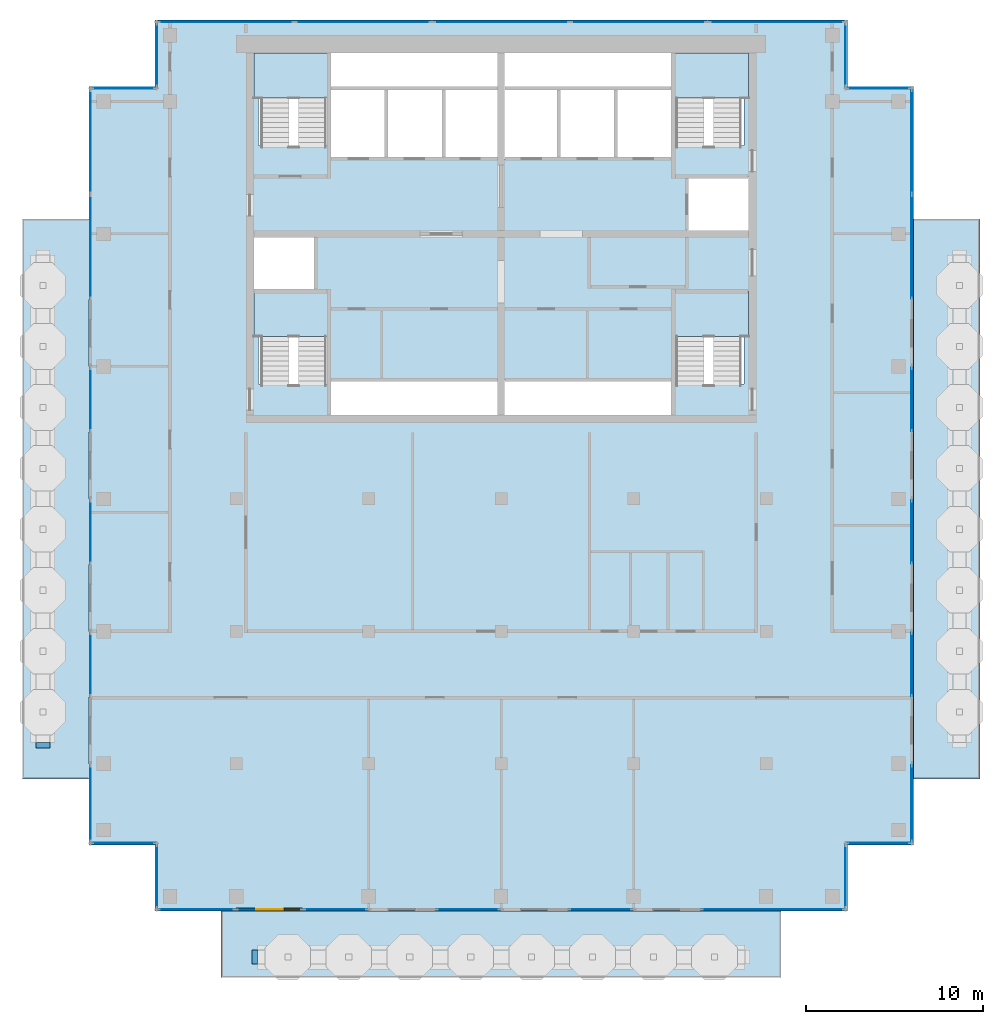
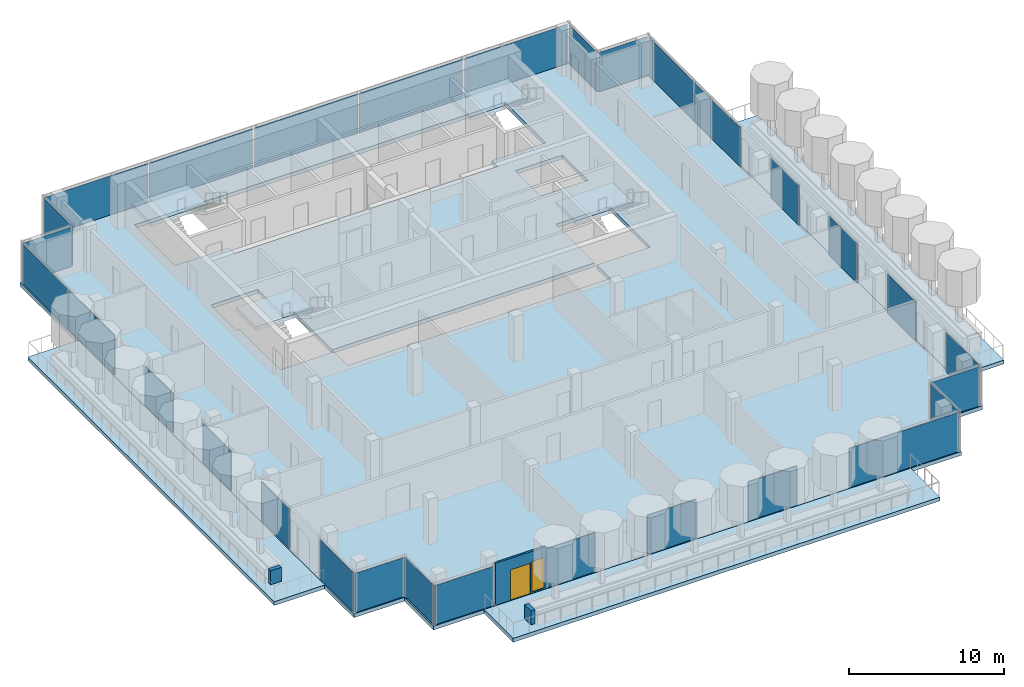
# One storey, part 5 of 12: 30 plates, 8 slabs, 3 walls, 1 door, 1 window, 2 openings, 30 elements without a shape of their own.
"""IFC4 building model written with IfcOpenShell, lengths in metres."""

from ifc_helpers import new_model, si_unit, direction, frame, frame_2d, origin, origin_2d, place, context, subcontext, project, spatial, polyline, rectangle, outline, extrude, material, layer, layer_set, type_object, element, fill, aggregate, save


model = new_model("IFC4")

# Units and contexts
model_context = context("Model", 3, precision=1e-05, world=origin(), true_north=direction((0.0, 1.0)))
body_context = subcontext(model_context, "Body", "Model", "MODEL_VIEW")
ifc_project = project(units=[si_unit("LENGTHUNIT", "METRE"), si_unit("AREAUNIT", "SQUARE_METRE"), si_unit("VOLUMEUNIT", "CUBIC_METRE"), si_unit("PLANEANGLEUNIT", "RADIAN"), si_unit("MASSUNIT", "GRAM", prefix="KILO")], contexts=[model_context])

# Site, building, storey
site_placement = place(None, origin())
site = spatial("IfcSite", under=ifc_project, at=site_placement, CompositionType="ELEMENT")
building_placement = place(site_placement, origin())
building = spatial("IfcBuilding", under=site, at=building_placement, Name="Pilkhan Gate Tower", CompositionType="ELEMENT")
storey_placement = place(building_placement, frame((0.0, 0.0, 258.5)))
storey = spatial("IfcBuildingStorey", under=building, at=storey_placement, Name="L67", CompositionType="ELEMENT", Elevation=258.5)

# Slab
ifc_material_1 = material(Name="Concrete C40/50", Category="concrete")
ifc_layer_1 = layer(ifc_material_1, 0.300048828125)
ifc_layer_set_1 = layer_set([ifc_layer_1], Name="Flat plate slab FP300")
slab_type_1 = type_object("IfcSlabType", Name="Flat plate slab FP300", PredefinedType="FLOOR", material=ifc_layer_set_1)
slab_1_placement = place(storey_placement, frame((0.0, 0.0, -0.300048828125)))
element("IfcSlab", 1, at=slab_1_placement, inside=storey, type_object=slab_type_1, Name="Floor slab L67", PredefinedType="FLOOR", context=body_context, shape_type="SweptSolid", body=[
    extrude(outline(polyline([(94.60009765625, 44.14990234375), (55.39990234375, 44.14990234375), (55.39990234375, 47.89990234375), (51.64990234375, 47.89990234375), (51.64990234375, 90.85009765625), (55.39990234375, 90.85009765625), (55.39990234375, 94.60009765625), (94.60009765625, 94.60009765625), (94.60009765625, 90.85009765625), (98.35009765625, 90.85009765625), (98.35009765625, 47.89990234375), (94.60009765625, 47.89990234375), (94.60009765625, 44.14990234375)]), holes=[polyline([(68.5, 86.75), (71.75, 86.75), (75.0, 86.75), (78.25, 86.75), (81.5, 86.75), (84.75, 86.75), (84.75, 87.5), (88.75, 87.5), (88.75, 92.75), (84.75, 92.75), (75.0, 92.75), (65.25, 92.75), (61.25, 92.75), (61.25, 87.5), (65.25, 87.5), (65.25, 86.75), (68.5, 86.75)]), polyline([(84.75, 74.25), (75.0, 74.25), (65.25, 74.25), (65.25, 79.25), (64.5, 79.25), (64.5, 82.5), (61.25, 82.5), (61.0, 82.5), (61.0, 79.25), (61.25, 79.25), (61.25, 74.0), (65.25, 74.0), (65.25, 72.25), (75.0, 72.25), (84.75, 72.25), (84.75, 74.0), (88.75, 74.0), (88.75, 79.25), (84.75, 79.25), (84.75, 74.25)]), polyline([(85.5, 85.75), (85.5, 82.5), (88.75, 82.5), (89.0, 82.5), (89.0, 85.75), (88.75, 85.75), (85.5, 85.75)])]), origin(), (0.0, 0.0, 1.0), 0.300048828125),
])

# Curtain wall, plate
ifc_material_2 = material(Name="Pale anodised aluminium, clear low-iron double glazing", Category="aluminium")
curtain_wall_type = type_object("IfcCurtainWallType", Name="Crown unitised curtain wall CW-C", PredefinedType="USERDEFINED", material=ifc_material_2)
curtain_wall_1_placement = place(storey_placement, origin())
curtain_wall_1 = element("IfcCurtainWall", 2, at=curtain_wall_1_placement, inside=storey, type_object=curtain_wall_type, Name="Crown unitised curtain wall CW-C L67 E", ObjectType="UNITISED CURTAIN WALL", PredefinedType="USERDEFINED")
ifc_material_3 = material(Name="Clear low-iron double glazing", Category="glass")
ifc_layer_2 = layer(ifc_material_3, 0.0439453125)
ifc_layer_set_2 = layer_set([ifc_layer_2], Name="Glass panel CW-C 44")
plate_type = type_object("IfcPlateType", Name="Glass panel CW-C 44", PredefinedType="CURTAIN_PANEL", material=ifc_layer_set_2)
plate_1_placement = place(storey_placement, frame((98.25, 50.25, 0.0), z_axis=(0.0, 0.0, 1.0), x_axis=(0.0, 1.0, 0.0)))
plate_1 = element("IfcPlate", 3, at=plate_1_placement, type_object=plate_type, Name="CW-C panel 1", PredefinedType="CURTAIN_PANEL", context=body_context, shape_type="SweptSolid", body=[
    extrude(rectangle(XDim=4.35009765625, YDim=0.0439453125, at=origin_2d()), origin(), (0.0, 0.0, 1.0), 3.080078125),
])
aggregate(curtain_wall_1, [plate_1])

curtain_wall_2_placement = place(storey_placement, origin())
curtain_wall_2 = element("IfcCurtainWall", 4, at=curtain_wall_2_placement, inside=storey, type_object=curtain_wall_type, Name="Crown unitised curtain wall CW-C L67 E", ObjectType="UNITISED CURTAIN WALL", PredefinedType="USERDEFINED")
plate_2_placement = place(storey_placement, frame((98.25, 58.125, 0.0), z_axis=(0.0, 0.0, 1.0), x_axis=(0.0, 1.0, 0.0)))
plate_2 = element("IfcPlate", 5, at=plate_2_placement, type_object=plate_type, Name="CW-C panel 1", PredefinedType="CURTAIN_PANEL", context=body_context, shape_type="SweptSolid", body=[
    extrude(rectangle(XDim=3.60009765625, YDim=0.0439453125, at=origin_2d()), origin(), (0.0, 0.0, 1.0), 3.080078125),
])
aggregate(curtain_wall_2, [plate_2])

curtain_wall_3_placement = place(storey_placement, origin())
curtain_wall_3 = element("IfcCurtainWall", 6, at=curtain_wall_3_placement, inside=storey, type_object=curtain_wall_type, Name="Crown unitised curtain wall CW-C L67 E", ObjectType="UNITISED CURTAIN WALL", PredefinedType="USERDEFINED")
plate_3_placement = place(storey_placement, frame((98.25, 65.625, 0.0), z_axis=(0.0, 0.0, 1.0), x_axis=(0.0, 1.0, 0.0)))
plate_3 = element("IfcPlate", 7, at=plate_3_placement, type_object=plate_type, Name="CW-C panel 1", PredefinedType="CURTAIN_PANEL", context=body_context, shape_type="SweptSolid", body=[
    extrude(rectangle(XDim=3.60009765625, YDim=0.0439453125, at=origin_2d()), origin(), (0.0, 0.0, 1.0), 3.080078125),
])
aggregate(curtain_wall_3, [plate_3])

curtain_wall_4_placement = place(storey_placement, origin())
curtain_wall_4 = element("IfcCurtainWall", 8, at=curtain_wall_4_placement, inside=storey, type_object=curtain_wall_type, Name="Crown unitised curtain wall CW-C L67 E", ObjectType="UNITISED CURTAIN WALL", PredefinedType="USERDEFINED")
plate_4_placement = place(storey_placement, frame((98.25, 73.125, 0.0), z_axis=(0.0, 0.0, 1.0), x_axis=(0.0, 1.0, 0.0)))
plate_4 = element("IfcPlate", 9, at=plate_4_placement, type_object=plate_type, Name="CW-C panel 1", PredefinedType="CURTAIN_PANEL", context=body_context, shape_type="SweptSolid", body=[
    extrude(rectangle(XDim=3.60009765625, YDim=0.0439453125, at=origin_2d()), origin(), (0.0, 0.0, 1.0), 3.080078125),
])
aggregate(curtain_wall_4, [plate_4])

# Curtain wall, plates
curtain_wall_5_placement = place(storey_placement, origin())
curtain_wall_5 = element("IfcCurtainWall", 10, at=curtain_wall_5_placement, inside=storey, type_object=curtain_wall_type, Name="Crown unitised curtain wall CW-C L67 E", ObjectType="UNITISED CURTAIN WALL", PredefinedType="USERDEFINED")
plate_5_placement = place(storey_placement, frame((98.25, 81.768798828125, 0.0), z_axis=(0.0, 0.0, 1.0), x_axis=(0.0, 1.0, 0.0)))
plate_5 = element("IfcPlate", 11, at=plate_5_placement, type_object=plate_type, Name="CW-C panel 1", PredefinedType="CURTAIN_PANEL", context=body_context, shape_type="SweptSolid", body=[
    extrude(rectangle(XDim=5.887451171875, YDim=0.0439453125, at=origin_2d()), origin(), (0.0, 0.0, 1.0), 3.080078125),
])
plate_6_placement = place(storey_placement, frame((98.25, 87.731201171875, 0.0), z_axis=(0.0, 0.0, 1.0), x_axis=(0.0, 1.0, 0.0)))
plate_6 = element("IfcPlate", 12, at=plate_6_placement, type_object=plate_type, Name="CW-C panel 2", PredefinedType="CURTAIN_PANEL", context=body_context, shape_type="SweptSolid", body=[
    extrude(rectangle(XDim=5.887451171875, YDim=0.0439453125, at=origin_2d()), origin(), (0.0, 0.0, 1.0), 3.080078125),
])
aggregate(curtain_wall_5, [plate_5, plate_6])

# Curtain wall, plate
curtain_wall_6_placement = place(storey_placement, origin())
curtain_wall_6 = element("IfcCurtainWall", 13, at=curtain_wall_6_placement, inside=storey, type_object=curtain_wall_type, Name="Crown unitised curtain wall CW-C L67 N", ObjectType="UNITISED CURTAIN WALL", PredefinedType="USERDEFINED")
plate_7_placement = place(storey_placement, frame((96.375, 90.75, 0.0), z_axis=(0.0, 0.0, 1.0), x_axis=(1.0, 0.0, 0.0)))
plate_7 = element("IfcPlate", 14, at=plate_7_placement, type_object=plate_type, Name="CW-C panel 1", PredefinedType="CURTAIN_PANEL", context=body_context, shape_type="SweptSolid", body=[
    extrude(rectangle(XDim=3.60009765625, YDim=0.0439453125, at=origin_2d()), origin(), (0.0, 0.0, 1.0), 3.080078125),
])
aggregate(curtain_wall_6, [plate_7])

curtain_wall_7_placement = place(storey_placement, origin())
curtain_wall_7 = element("IfcCurtainWall", 15, at=curtain_wall_7_placement, inside=storey, type_object=curtain_wall_type, Name="Crown unitised curtain wall CW-C L67 E", ObjectType="UNITISED CURTAIN WALL", PredefinedType="USERDEFINED")
plate_8_placement = place(storey_placement, frame((94.5, 92.625, 0.0), z_axis=(0.0, 0.0, 1.0), x_axis=(0.0, 1.0, 0.0)))
plate_8 = element("IfcPlate", 16, at=plate_8_placement, type_object=plate_type, Name="CW-C panel 1", PredefinedType="CURTAIN_PANEL", context=body_context, shape_type="SweptSolid", body=[
    extrude(rectangle(XDim=3.60009765625, YDim=0.0439453125, at=origin_2d()), origin(), (0.0, 0.0, 1.0), 3.080078125),
])
aggregate(curtain_wall_7, [plate_8])

# Curtain wall, plates
curtain_wall_8_placement = place(storey_placement, origin())
curtain_wall_8 = element("IfcCurtainWall", 17, at=curtain_wall_8_placement, inside=storey, type_object=curtain_wall_type, Name="Crown unitised curtain wall CW-C L67 N", ObjectType="UNITISED CURTAIN WALL", PredefinedType="USERDEFINED")
plate_9_placement = place(storey_placement, frame((59.418701171875, 94.5, 0.0), z_axis=(0.0, 0.0, 1.0), x_axis=(1.0, 0.0, 0.0)))
plate_9 = element("IfcPlate", 18, at=plate_9_placement, type_object=plate_type, Name="CW-C panel 1", PredefinedType="CURTAIN_PANEL", context=body_context, shape_type="SweptSolid", body=[
    extrude(rectangle(XDim=7.6875, YDim=0.0439453125, at=origin_2d()), origin(), (0.0, 0.0, 1.0), 3.080078125),
])
plate_10_placement = place(storey_placement, frame((67.18115234375, 94.5, 0.0), z_axis=(0.0, 0.0, 1.0), x_axis=(1.0, 0.0, 0.0)))
plate_10 = element("IfcPlate", 19, at=plate_10_placement, type_object=plate_type, Name="CW-C panel 2", PredefinedType="CURTAIN_PANEL", context=body_context, shape_type="SweptSolid", body=[
    extrude(rectangle(XDim=7.6875, YDim=0.0439453125, at=origin_2d()), origin(), (0.0, 0.0, 1.0), 3.080078125),
])
aggregate(curtain_wall_8, [plate_9, plate_10])

curtain_wall_9_placement = place(storey_placement, origin())
curtain_wall_9 = element("IfcCurtainWall", 20, at=curtain_wall_9_placement, inside=storey, type_object=curtain_wall_type, Name="Crown unitised curtain wall CW-C L67 N", ObjectType="UNITISED CURTAIN WALL", PredefinedType="USERDEFINED")
plate_11_placement = place(storey_placement, frame((75.018798828125, 94.5, 0.0), z_axis=(0.0, 0.0, 1.0), x_axis=(1.0, 0.0, 0.0)))
plate_11 = element("IfcPlate", 21, at=plate_11_placement, type_object=plate_type, Name="CW-C panel 1", PredefinedType="CURTAIN_PANEL", context=body_context, shape_type="SweptSolid", body=[
    extrude(rectangle(XDim=7.6875, YDim=0.0439453125, at=origin_2d()), origin(), (0.0, 0.0, 1.0), 3.080078125),
])
plate_12_placement = place(storey_placement, frame((82.78125, 94.5, 0.0), z_axis=(0.0, 0.0, 1.0), x_axis=(1.0, 0.0, 0.0)))
plate_12 = element("IfcPlate", 22, at=plate_12_placement, type_object=plate_type, Name="CW-C panel 2", PredefinedType="CURTAIN_PANEL", context=body_context, shape_type="SweptSolid", body=[
    extrude(rectangle(XDim=7.6875, YDim=0.0439453125, at=origin_2d()), origin(), (0.0, 0.0, 1.0), 3.080078125),
])
aggregate(curtain_wall_9, [plate_11, plate_12])

# Curtain wall, plate
curtain_wall_10_placement = place(storey_placement, origin())
curtain_wall_10 = element("IfcCurtainWall", 23, at=curtain_wall_10_placement, inside=storey, type_object=curtain_wall_type, Name="Crown unitised curtain wall CW-C L67 N", ObjectType="UNITISED CURTAIN WALL", PredefinedType="USERDEFINED")
plate_13_placement = place(storey_placement, frame((90.60009765625, 94.5, 0.0), z_axis=(0.0, 0.0, 1.0), x_axis=(1.0, 0.0, 0.0)))
plate_13 = element("IfcPlate", 24, at=plate_13_placement, type_object=plate_type, Name="CW-C panel 1", PredefinedType="CURTAIN_PANEL", context=body_context, shape_type="SweptSolid", body=[
    extrude(rectangle(XDim=7.64990234375, YDim=0.0439453125, at=origin_2d()), origin(), (0.0, 0.0, 1.0), 3.080078125),
])
aggregate(curtain_wall_10, [plate_13])

curtain_wall_11_placement = place(storey_placement, origin())
curtain_wall_11 = element("IfcCurtainWall", 25, at=curtain_wall_11_placement, inside=storey, type_object=curtain_wall_type, Name="Crown unitised curtain wall CW-C L67 W", ObjectType="UNITISED CURTAIN WALL", PredefinedType="USERDEFINED")
plate_14_placement = place(storey_placement, frame((55.5, 92.625, 0.0), z_axis=(0.0, 0.0, 1.0), x_axis=(0.0, 1.0, 0.0)))
plate_14 = element("IfcPlate", 26, at=plate_14_placement, type_object=plate_type, Name="CW-C panel 1", PredefinedType="CURTAIN_PANEL", context=body_context, shape_type="SweptSolid", body=[
    extrude(rectangle(XDim=3.60009765625, YDim=0.0439453125, at=origin_2d()), origin(), (0.0, 0.0, 1.0), 3.080078125),
])
aggregate(curtain_wall_11, [plate_14])

curtain_wall_12_placement = place(storey_placement, origin())
curtain_wall_12 = element("IfcCurtainWall", 27, at=curtain_wall_12_placement, inside=storey, type_object=curtain_wall_type, Name="Crown unitised curtain wall CW-C L67 N", ObjectType="UNITISED CURTAIN WALL", PredefinedType="USERDEFINED")
plate_15_placement = place(storey_placement, frame((53.625, 90.75, 0.0), z_axis=(0.0, 0.0, 1.0), x_axis=(1.0, 0.0, 0.0)))
plate_15 = element("IfcPlate", 28, at=plate_15_placement, type_object=plate_type, Name="CW-C panel 1", PredefinedType="CURTAIN_PANEL", context=body_context, shape_type="SweptSolid", body=[
    extrude(rectangle(XDim=3.60009765625, YDim=0.0439453125, at=origin_2d()), origin(), (0.0, 0.0, 1.0), 3.080078125),
])
aggregate(curtain_wall_12, [plate_15])

curtain_wall_13_placement = place(storey_placement, origin())
curtain_wall_13 = element("IfcCurtainWall", 29, at=curtain_wall_13_placement, inside=storey, type_object=curtain_wall_type, Name="Crown unitised curtain wall CW-C L67 W", ObjectType="UNITISED CURTAIN WALL", PredefinedType="USERDEFINED")
plate_16_placement = place(storey_placement, frame((51.75, 50.25, 0.0), z_axis=(0.0, 0.0, 1.0), x_axis=(0.0, 1.0, 0.0)))
plate_16 = element("IfcPlate", 30, at=plate_16_placement, type_object=plate_type, Name="CW-C panel 1", PredefinedType="CURTAIN_PANEL", context=body_context, shape_type="SweptSolid", body=[
    extrude(rectangle(XDim=4.35009765625, YDim=0.0439453125, at=origin_2d()), origin(), (0.0, 0.0, 1.0), 3.080078125),
])
aggregate(curtain_wall_13, [plate_16])

curtain_wall_14_placement = place(storey_placement, origin())
curtain_wall_14 = element("IfcCurtainWall", 31, at=curtain_wall_14_placement, inside=storey, type_object=curtain_wall_type, Name="Crown unitised curtain wall CW-C L67 W", ObjectType="UNITISED CURTAIN WALL", PredefinedType="USERDEFINED")
plate_17_placement = place(storey_placement, frame((51.75, 58.125, 0.0), z_axis=(0.0, 0.0, 1.0), x_axis=(0.0, 1.0, 0.0)))
plate_17 = element("IfcPlate", 32, at=plate_17_placement, type_object=plate_type, Name="CW-C panel 1", PredefinedType="CURTAIN_PANEL", context=body_context, shape_type="SweptSolid", body=[
    extrude(rectangle(XDim=3.60009765625, YDim=0.0439453125, at=origin_2d()), origin(), (0.0, 0.0, 1.0), 3.080078125),
])
aggregate(curtain_wall_14, [plate_17])

curtain_wall_15_placement = place(storey_placement, origin())
curtain_wall_15 = element("IfcCurtainWall", 33, at=curtain_wall_15_placement, inside=storey, type_object=curtain_wall_type, Name="Crown unitised curtain wall CW-C L67 W", ObjectType="UNITISED CURTAIN WALL", PredefinedType="USERDEFINED")
plate_18_placement = place(storey_placement, frame((51.75, 65.625, 0.0), z_axis=(0.0, 0.0, 1.0), x_axis=(0.0, 1.0, 0.0)))
plate_18 = element("IfcPlate", 34, at=plate_18_placement, type_object=plate_type, Name="CW-C panel 1", PredefinedType="CURTAIN_PANEL", context=body_context, shape_type="SweptSolid", body=[
    extrude(rectangle(XDim=3.60009765625, YDim=0.0439453125, at=origin_2d()), origin(), (0.0, 0.0, 1.0), 3.080078125),
])
aggregate(curtain_wall_15, [plate_18])

curtain_wall_16_placement = place(storey_placement, origin())
curtain_wall_16 = element("IfcCurtainWall", 35, at=curtain_wall_16_placement, inside=storey, type_object=curtain_wall_type, Name="Crown unitised curtain wall CW-C L67 W", ObjectType="UNITISED CURTAIN WALL", PredefinedType="USERDEFINED")
plate_19_placement = place(storey_placement, frame((51.75, 73.125, 0.0), z_axis=(0.0, 0.0, 1.0), x_axis=(0.0, 1.0, 0.0)))
plate_19 = element("IfcPlate", 36, at=plate_19_placement, type_object=plate_type, Name="CW-C panel 1", PredefinedType="CURTAIN_PANEL", context=body_context, shape_type="SweptSolid", body=[
    extrude(rectangle(XDim=3.60009765625, YDim=0.0439453125, at=origin_2d()), origin(), (0.0, 0.0, 1.0), 3.080078125),
])
aggregate(curtain_wall_16, [plate_19])

# Curtain wall, plates
curtain_wall_17_placement = place(storey_placement, origin())
curtain_wall_17 = element("IfcCurtainWall", 37, at=curtain_wall_17_placement, inside=storey, type_object=curtain_wall_type, Name="Crown unitised curtain wall CW-C L67 W", ObjectType="UNITISED CURTAIN WALL", PredefinedType="USERDEFINED")
plate_20_placement = place(storey_placement, frame((51.75, 81.768798828125, 0.0), z_axis=(0.0, 0.0, 1.0), x_axis=(0.0, 1.0, 0.0)))
plate_20 = element("IfcPlate", 38, at=plate_20_placement, type_object=plate_type, Name="CW-C panel 1", PredefinedType="CURTAIN_PANEL", context=body_context, shape_type="SweptSolid", body=[
    extrude(rectangle(XDim=5.887451171875, YDim=0.0439453125, at=origin_2d()), origin(), (0.0, 0.0, 1.0), 3.080078125),
])
plate_21_placement = place(storey_placement, frame((51.75, 87.731201171875, 0.0), z_axis=(0.0, 0.0, 1.0), x_axis=(0.0, 1.0, 0.0)))
plate_21 = element("IfcPlate", 39, at=plate_21_placement, type_object=plate_type, Name="CW-C panel 2", PredefinedType="CURTAIN_PANEL", context=body_context, shape_type="SweptSolid", body=[
    extrude(rectangle(XDim=5.887451171875, YDim=0.0439453125, at=origin_2d()), origin(), (0.0, 0.0, 1.0), 3.080078125),
])
aggregate(curtain_wall_17, [plate_20, plate_21])

# Curtain wall, plate
curtain_wall_18_placement = place(storey_placement, origin())
curtain_wall_18 = element("IfcCurtainWall", 40, at=curtain_wall_18_placement, inside=storey, type_object=curtain_wall_type, Name="Crown unitised curtain wall CW-C L67 S", ObjectType="UNITISED CURTAIN WALL", PredefinedType="USERDEFINED")
plate_22_placement = place(storey_placement, frame((53.625, 48.0, 0.0), z_axis=(0.0, 0.0, 1.0), x_axis=(1.0, 0.0, 0.0)))
plate_22 = element("IfcPlate", 41, at=plate_22_placement, type_object=plate_type, Name="CW-C panel 1", PredefinedType="CURTAIN_PANEL", context=body_context, shape_type="SweptSolid", body=[
    extrude(rectangle(XDim=3.60009765625, YDim=0.0439453125, at=origin_2d()), origin(), (0.0, 0.0, 1.0), 3.080078125),
])
aggregate(curtain_wall_18, [plate_22])

curtain_wall_19_placement = place(storey_placement, origin())
curtain_wall_19 = element("IfcCurtainWall", 42, at=curtain_wall_19_placement, inside=storey, type_object=curtain_wall_type, Name="Crown unitised curtain wall CW-C L67 W", ObjectType="UNITISED CURTAIN WALL", PredefinedType="USERDEFINED")
plate_23_placement = place(storey_placement, frame((55.5, 46.125, 0.0), z_axis=(0.0, 0.0, 1.0), x_axis=(0.0, 1.0, 0.0)))
plate_23 = element("IfcPlate", 43, at=plate_23_placement, type_object=plate_type, Name="CW-C panel 1", PredefinedType="CURTAIN_PANEL", context=body_context, shape_type="SweptSolid", body=[
    extrude(rectangle(XDim=3.60009765625, YDim=0.0439453125, at=origin_2d()), origin(), (0.0, 0.0, 1.0), 3.080078125),
])
aggregate(curtain_wall_19, [plate_23])

curtain_wall_20_placement = place(storey_placement, origin())
curtain_wall_20 = element("IfcCurtainWall", 44, at=curtain_wall_20_placement, inside=storey, type_object=curtain_wall_type, Name="Crown unitised curtain wall CW-C L67 S", ObjectType="UNITISED CURTAIN WALL", PredefinedType="USERDEFINED")
plate_24_placement = place(storey_placement, frame((57.75, 44.25, 0.0), z_axis=(0.0, 0.0, 1.0), x_axis=(1.0, 0.0, 0.0)))
plate_24 = element("IfcPlate", 45, at=plate_24_placement, type_object=plate_type, Name="CW-C panel 1", PredefinedType="CURTAIN_PANEL", context=body_context, shape_type="SweptSolid", body=[
    extrude(rectangle(XDim=4.35009765625, YDim=0.0439453125, at=origin_2d()), origin(), (0.0, 0.0, 1.0), 3.080078125),
])
aggregate(curtain_wall_20, [plate_24])

curtain_wall_21_placement = place(storey_placement, origin())
curtain_wall_21 = element("IfcCurtainWall", 46, at=curtain_wall_21_placement, inside=storey, type_object=curtain_wall_type, Name="Crown unitised curtain wall CW-C L67 S", ObjectType="UNITISED CURTAIN WALL", PredefinedType="USERDEFINED")
plate_25_placement = place(storey_placement, frame((65.625, 44.25, 0.0), z_axis=(0.0, 0.0, 1.0), x_axis=(1.0, 0.0, 0.0)))
plate_25 = element("IfcPlate", 47, at=plate_25_placement, type_object=plate_type, Name="CW-C panel 1", PredefinedType="CURTAIN_PANEL", context=body_context, shape_type="SweptSolid", body=[
    extrude(rectangle(XDim=3.60009765625, YDim=0.0439453125, at=origin_2d()), origin(), (0.0, 0.0, 1.0), 3.080078125),
])
aggregate(curtain_wall_21, [plate_25])

curtain_wall_22_placement = place(storey_placement, origin())
curtain_wall_22 = element("IfcCurtainWall", 48, at=curtain_wall_22_placement, inside=storey, type_object=curtain_wall_type, Name="Crown unitised curtain wall CW-C L67 S", ObjectType="UNITISED CURTAIN WALL", PredefinedType="USERDEFINED")
plate_26_placement = place(storey_placement, frame((73.125, 44.25, 0.0), z_axis=(0.0, 0.0, 1.0), x_axis=(1.0, 0.0, 0.0)))
plate_26 = element("IfcPlate", 49, at=plate_26_placement, type_object=plate_type, Name="CW-C panel 1", PredefinedType="CURTAIN_PANEL", context=body_context, shape_type="SweptSolid", body=[
    extrude(rectangle(XDim=3.60009765625, YDim=0.0439453125, at=origin_2d()), origin(), (0.0, 0.0, 1.0), 3.080078125),
])
aggregate(curtain_wall_22, [plate_26])

curtain_wall_23_placement = place(storey_placement, origin())
curtain_wall_23 = element("IfcCurtainWall", 50, at=curtain_wall_23_placement, inside=storey, type_object=curtain_wall_type, Name="Crown unitised curtain wall CW-C L67 S", ObjectType="UNITISED CURTAIN WALL", PredefinedType="USERDEFINED")
plate_27_placement = place(storey_placement, frame((80.625, 44.25, 0.0), z_axis=(0.0, 0.0, 1.0), x_axis=(1.0, 0.0, 0.0)))
plate_27 = element("IfcPlate", 51, at=plate_27_placement, type_object=plate_type, Name="CW-C panel 1", PredefinedType="CURTAIN_PANEL", context=body_context, shape_type="SweptSolid", body=[
    extrude(rectangle(XDim=3.60009765625, YDim=0.0439453125, at=origin_2d()), origin(), (0.0, 0.0, 1.0), 3.080078125),
])
aggregate(curtain_wall_23, [plate_27])

curtain_wall_24_placement = place(storey_placement, origin())
curtain_wall_24 = element("IfcCurtainWall", 52, at=curtain_wall_24_placement, inside=storey, type_object=curtain_wall_type, Name="Crown unitised curtain wall CW-C L67 S", ObjectType="UNITISED CURTAIN WALL", PredefinedType="USERDEFINED")
plate_28_placement = place(storey_placement, frame((90.375, 44.25, 0.0), z_axis=(0.0, 0.0, 1.0), x_axis=(1.0, 0.0, 0.0)))
plate_28 = element("IfcPlate", 53, at=plate_28_placement, type_object=plate_type, Name="CW-C panel 1", PredefinedType="CURTAIN_PANEL", context=body_context, shape_type="SweptSolid", body=[
    extrude(rectangle(XDim=8.10009765625, YDim=0.0439453125, at=origin_2d()), origin(), (0.0, 0.0, 1.0), 3.080078125),
])
aggregate(curtain_wall_24, [plate_28])

curtain_wall_25_placement = place(storey_placement, origin())
curtain_wall_25 = element("IfcCurtainWall", 54, at=curtain_wall_25_placement, inside=storey, type_object=curtain_wall_type, Name="Crown unitised curtain wall CW-C L67 E", ObjectType="UNITISED CURTAIN WALL", PredefinedType="USERDEFINED")
plate_29_placement = place(storey_placement, frame((94.5, 46.125, 0.0), z_axis=(0.0, 0.0, 1.0), x_axis=(0.0, 1.0, 0.0)))
plate_29 = element("IfcPlate", 55, at=plate_29_placement, type_object=plate_type, Name="CW-C panel 1", PredefinedType="CURTAIN_PANEL", context=body_context, shape_type="SweptSolid", body=[
    extrude(rectangle(XDim=3.60009765625, YDim=0.0439453125, at=origin_2d()), origin(), (0.0, 0.0, 1.0), 3.080078125),
])
aggregate(curtain_wall_25, [plate_29])

curtain_wall_26_placement = place(storey_placement, origin())
curtain_wall_26 = element("IfcCurtainWall", 56, at=curtain_wall_26_placement, inside=storey, type_object=curtain_wall_type, Name="Crown unitised curtain wall CW-C L67 S", ObjectType="UNITISED CURTAIN WALL", PredefinedType="USERDEFINED")
plate_30_placement = place(storey_placement, frame((96.375, 48.0, 0.0), z_axis=(0.0, 0.0, 1.0), x_axis=(1.0, 0.0, 0.0)))
plate_30 = element("IfcPlate", 57, at=plate_30_placement, type_object=plate_type, Name="CW-C panel 1", PredefinedType="CURTAIN_PANEL", context=body_context, shape_type="SweptSolid", body=[
    extrude(rectangle(XDim=3.60009765625, YDim=0.0439453125, at=origin_2d()), origin(), (0.0, 0.0, 1.0), 3.080078125),
])
aggregate(curtain_wall_26, [plate_30])

# Stair, slab
ifc_material_4 = material(Name="Concrete C40/50 precast", Category="concrete")
stair_type_1 = type_object("IfcStairType", Name="Stair ST1 164x280", PredefinedType="HALF_TURN_STAIR", material=ifc_material_4)
stair_1_placement = place(storey_placement, origin())
stair_1 = element("IfcStair", 58, at=stair_1_placement, inside=storey, type_object=stair_type_1, Name="Stair ST1 L67", PredefinedType="HALF_TURN_STAIR")
ifc_layer_3 = layer(ifc_material_1, 0.199951171875)
ifc_layer_set_3 = layer_set([ifc_layer_3], Name="Stair landing SL200")
slab_type_2 = type_object("IfcSlabType", Name="Stair landing SL200", PredefinedType="LANDING", material=ifc_layer_set_3)
slab_2_placement = place(storey_placement, frame((0.0, 0.0, 1.5)))
slab_2 = element("IfcSlab", 59, at=slab_2_placement, type_object=slab_type_2, Name="ST1 landing 1", PredefinedType="LANDING", context=body_context, shape_type="SweptSolid", body=[
    extrude(outline(polyline([(89.0, 76.699951171875), (89.0, 79.25), (84.75, 79.25), (84.75, 76.699951171875), (89.0, 76.699951171875)])), origin(), (0.0, 0.0, 1.0), 0.300048828125),
])
aggregate(stair_1, [slab_2])

stair_type_2 = type_object("IfcStairType", Name="Stair ST2 164x280", PredefinedType="HALF_TURN_STAIR", material=ifc_material_4)
stair_2_placement = place(storey_placement, origin())
stair_2 = element("IfcStair", 60, at=stair_2_placement, inside=storey, type_object=stair_type_2, Name="Stair ST2 L67", PredefinedType="HALF_TURN_STAIR")
slab_3_placement = place(storey_placement, frame((0.0, 0.0, 1.5)))
slab_3 = element("IfcSlab", 61, at=slab_3_placement, type_object=slab_type_2, Name="ST2 landing 1", PredefinedType="LANDING", context=body_context, shape_type="SweptSolid", body=[
    extrude(outline(polyline([(65.25, 76.699951171875), (65.25, 79.25), (61.0, 79.25), (61.0, 76.699951171875), (65.25, 76.699951171875)])), origin(), (0.0, 0.0, 1.0), 0.300048828125),
])
aggregate(stair_2, [slab_3])

stair_type_3 = type_object("IfcStairType", Name="Stair ST3 164x280", PredefinedType="HALF_TURN_STAIR", material=ifc_material_4)
stair_3_placement = place(storey_placement, origin())
stair_3 = element("IfcStair", 62, at=stair_3_placement, inside=storey, type_object=stair_type_3, Name="Stair ST3 L67", PredefinedType="HALF_TURN_STAIR")
slab_4_placement = place(storey_placement, frame((0.0, 0.0, 1.5)))
slab_4 = element("IfcSlab", 63, at=slab_4_placement, type_object=slab_type_2, Name="ST3 landing 1", PredefinedType="LANDING", context=body_context, shape_type="SweptSolid", body=[
    extrude(outline(polyline([(65.25, 90.199951171875), (65.25, 92.75), (61.0, 92.75), (61.0, 90.199951171875), (65.25, 90.199951171875)])), origin(), (0.0, 0.0, 1.0), 0.300048828125),
])
aggregate(stair_3, [slab_4])

stair_type_4 = type_object("IfcStairType", Name="Stair ST4 164x280", PredefinedType="HALF_TURN_STAIR", material=ifc_material_4)
stair_4_placement = place(storey_placement, origin())
stair_4 = element("IfcStair", 64, at=stair_4_placement, inside=storey, type_object=stair_type_4, Name="Stair ST4 L67", PredefinedType="HALF_TURN_STAIR")
slab_5_placement = place(storey_placement, frame((0.0, 0.0, 1.5)))
slab_5 = element("IfcSlab", 65, at=slab_5_placement, type_object=slab_type_2, Name="ST4 landing 1", PredefinedType="LANDING", context=body_context, shape_type="SweptSolid", body=[
    extrude(outline(polyline([(89.0, 90.199951171875), (89.0, 92.75), (84.75, 92.75), (84.75, 90.199951171875), (89.0, 90.199951171875)])), origin(), (0.0, 0.0, 1.0), 0.300048828125),
])
aggregate(stair_4, [slab_5])

# Slabs
ifc_material_5 = material(Name="Concrete C60/75", Category="concrete")
ifc_layer_4 = layer(ifc_material_5, 0.300048828125)
ifc_layer_set_4 = layer_set([ifc_layer_4], Name="Terrace slab TS300")
slab_type_3 = type_object("IfcSlabType", Name="Terrace slab TS300", PredefinedType="FLOOR", material=ifc_layer_set_4)
slab_6_placement = place(storey_placement, frame((0.0, 0.0, -0.300048828125)))
element("IfcSlab", 66, at=slab_6_placement, inside=storey, type_object=slab_type_3, Name="Terrace L67", PredefinedType="FLOOR", context=body_context, shape_type="SweptSolid", body=[
    extrude(outline(polyline([(98.35009765625, 83.35009765625), (102.10009765625, 83.35009765625), (102.10009765625, 51.64990234375), (98.35009765625, 51.64990234375), (98.35009765625, 83.35009765625)])), origin(), (0.0, 0.0, 1.0), 0.300048828125),
])
slab_7_placement = place(storey_placement, frame((0.0, 0.0, -0.300048828125)))
element("IfcSlab", 67, at=slab_7_placement, inside=storey, type_object=slab_type_3, Name="Terrace L67", PredefinedType="FLOOR", context=body_context, shape_type="SweptSolid", body=[
    extrude(outline(polyline([(59.14990234375, 40.39990234375), (59.14990234375, 44.14990234375), (90.85009765625, 44.14990234375), (90.85009765625, 40.39990234375), (59.14990234375, 40.39990234375)])), origin(), (0.0, 0.0, 1.0), 0.300048828125),
])
slab_8_placement = place(storey_placement, frame((0.0, 0.0, -0.300048828125)))
element("IfcSlab", 68, at=slab_8_placement, inside=storey, type_object=slab_type_3, Name="Terrace L67", PredefinedType="FLOOR", context=body_context, shape_type="SweptSolid", body=[
    extrude(outline(polyline([(47.89990234375, 83.35009765625), (51.64990234375, 83.35009765625), (51.64990234375, 51.64990234375), (47.89990234375, 51.64990234375), (47.89990234375, 83.35009765625)])), origin(), (0.0, 0.0, 1.0), 0.300048828125),
])

# Wall, openings, door, window
ifc_material_6 = material(Name="Pale anodised aluminium, clear laminated glazing", Category="aluminium")
ifc_layer_5 = layer(ifc_material_6, 0.14990234375)
ifc_layer_set_5 = layer_set([ifc_layer_5], Name="Facade infill wall IW150")
wall_type_1 = type_object("IfcWallType", Name="Facade infill wall IW150", PredefinedType="SOLIDWALL", material=ifc_layer_set_5)
wall_placement = place(storey_placement, frame((63.75, 44.25, 0.0), z_axis=(0.0, 0.0, 1.0), x_axis=(-1.0, 0.0, 0.0)))
wall = element("IfcWall", 69, at=wall_placement, inside=storey, type_object=wall_type_1, Name="Infill wall L67 S", PredefinedType="SOLIDWALL", context=body_context, shape_type="SweptSolid", body=[
    extrude(rectangle(XDim=3.75, YDim=0.14990234375, at=frame_2d((1.875, 0.0))), origin(), (0.0, 0.0, 1.0), 3.300048828125),
])
opening_1_placement = place(wall_placement, frame((0.112548828125, 0.0, 0.10009765625)))
opening_1 = element("IfcOpeningElement", 70, at=opening_1_placement, cuts=wall, Name="Opening W1", PredefinedType="OPENING", context=body_context, shape_type="SweptSolid", body=[
    extrude(rectangle(XDim=0.89990234375, YDim=2.39990234375, at=frame_2d((0.449951171875, 1.199951171875))), frame((0.0, 0.0849609375, 0.0), z_axis=(0.0, -1.0, 0.0), x_axis=(1.0, 0.0, 0.0)), (0.0, 0.0, 1.0), 0.169921875),
])
opening_2_placement = place(wall_placement, frame((1.125, 0.0, 0.0)))
opening_2 = element("IfcOpeningElement", 71, at=opening_2_placement, cuts=wall, Name="Opening D5", PredefinedType="OPENING", context=body_context, shape_type="SweptSolid", body=[
    extrude(rectangle(XDim=1.5, YDim=2.39990234375, at=frame_2d((0.75, 1.199951171875))), frame((0.0, 0.0849609375, 0.0), z_axis=(0.0, -1.0, 0.0), x_axis=(1.0, 0.0, 0.0)), (0.0, 0.0, 1.0), 0.169921875),
])
ifc_material_7 = material(Name="Pale anodised aluminium, clear glazing", Category="aluminium")
door_type = type_object("IfcDoorType", Name="Terrace door D5 1500x2400", OperationType="DOUBLE_DOOR_SINGLE_SWING", PredefinedType="DOOR", material=ifc_material_7)
door_placement = place(opening_2_placement, origin())
door = element("IfcDoor", 72, at=door_placement, inside=storey, type_object=door_type, Name="Terrace door L67", OperationType="DOUBLE_DOOR_SINGLE_SWING", OverallHeight=2.39990234375, OverallWidth=1.5, PredefinedType="DOOR", context=body_context, shape_type="SweptSolid", body=[
    extrude(rectangle(XDim=1.5, YDim=2.39990234375, at=frame_2d((0.75, 1.199951171875))), frame((0.0, 0.02490234375, 0.0), z_axis=(0.0, -1.0, 0.0), x_axis=(1.0, 0.0, 0.0)), (0.0, 0.0, 1.0), 0.050048828125),
])
fill(opening_2, door)
ifc_material_8 = material(Name="Pale anodised aluminium, clear double glazing", Category="aluminium")
window_type = type_object("IfcWindowType", Name="Window W1 900x2400", PartitioningType="SINGLE_PANEL", PredefinedType="WINDOW", material=ifc_material_8)
window_placement = place(opening_1_placement, origin())
window = element("IfcWindow", 73, at=window_placement, inside=storey, type_object=window_type, Name="Window L67", OverallHeight=2.39990234375, OverallWidth=0.89990234375, PartitioningType="SINGLE_PANEL", PredefinedType="WINDOW", context=body_context, shape_type="SweptSolid", body=[
    extrude(rectangle(XDim=0.89990234375, YDim=2.39990234375, at=frame_2d((0.449951171875, 1.199951171875))), frame((0.0, 0.030029296875, 0.0), z_axis=(0.0, -1.0, 0.0), x_axis=(1.0, 0.0, 0.0)), (0.0, 0.0, 1.0), 0.06005859375),
])
fill(opening_1, window)

# Walls
ifc_layer_6 = layer(ifc_material_1, 0.300048828125)
ifc_layer_set_6 = layer_set([ifc_layer_6], Name="Terrace planter TP800")
wall_type_2 = type_object("IfcWallType", Name="Terrace planter TP800", PredefinedType="USERDEFINED", material=ifc_layer_set_6)
for number, where, z_axis, x_axis, name in (
    (74, (61.050048828125, 41.949951171875, 0.0), (0.0, 0.0, 1.0), (0.0, -1.0, 0.0), "Terrace planter L67"),
    (75, (49.449951171875, 53.550048828125, 0.0), (0.0, 0.0, 1.0), (-1.0, 0.0, 0.0), "Terrace planter L67"),
):
    element("IfcWall", number, at=place(storey_placement, frame(where, z_axis=z_axis, x_axis=x_axis)), inside=storey, type_object=wall_type_2, Name=name, ObjectType="TERRACE PLANTER", PredefinedType="USERDEFINED", context=body_context, shape_type="SweptSolid", body=[
        extrude(rectangle(XDim=0.800048828125, YDim=0.300048828125, at=frame_2d((0.39990234375, 0.0))), origin(), (0.0, 0.0, 1.0), 1.10009765625),
    ])

save(model, "model.ifc")
